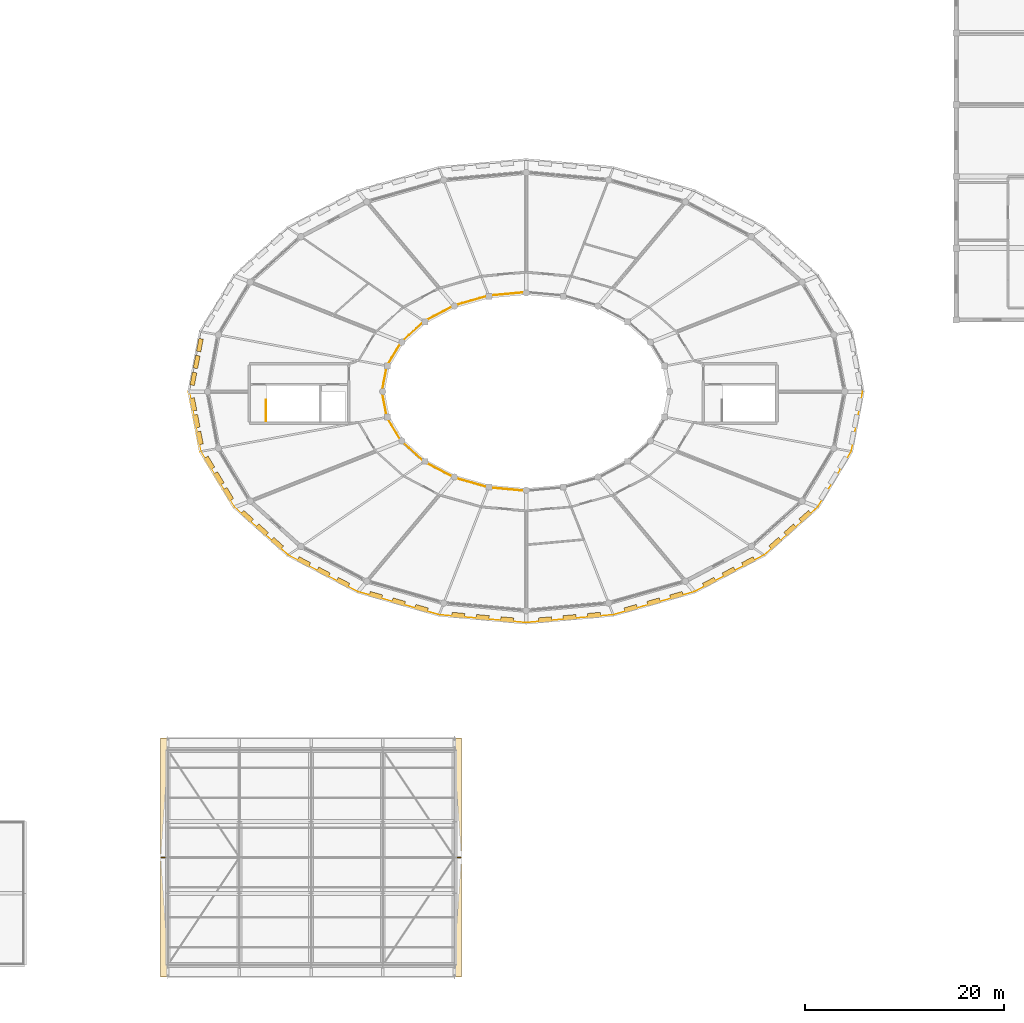
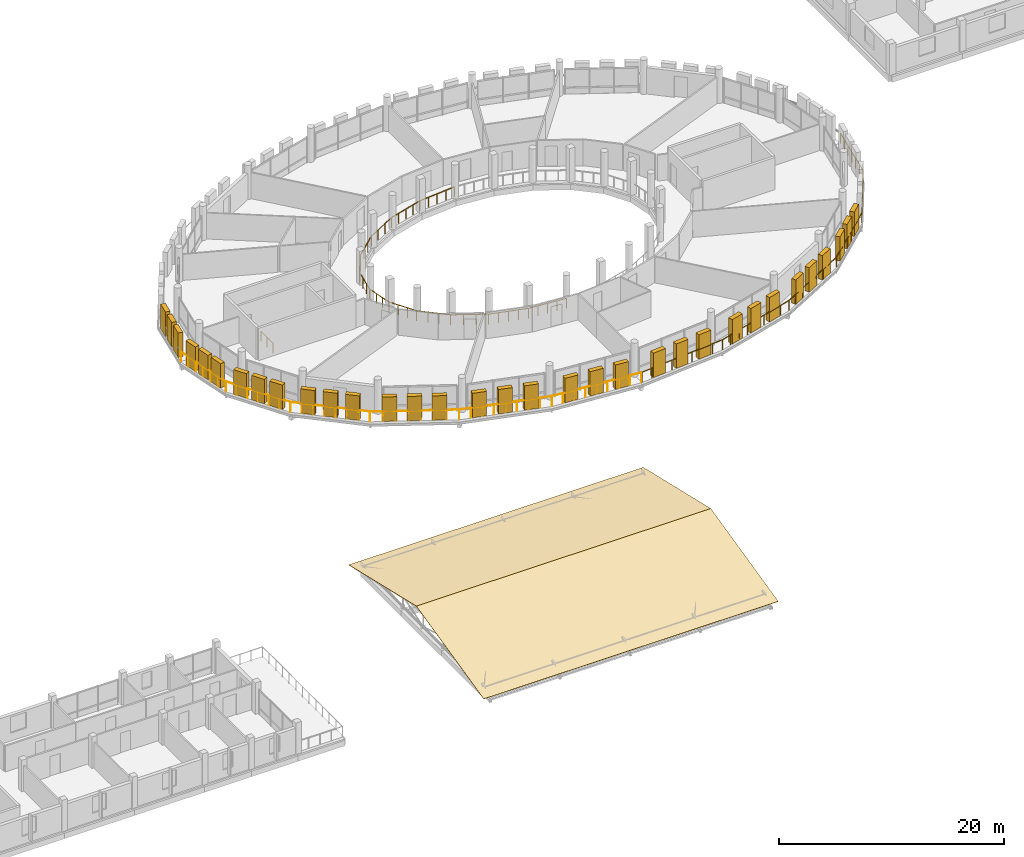
# One storey, part 80 of 84: 33 shading devices, 5 railings, 2 coverings.
"""IFC4 building model written with IfcOpenShell, lengths in metres."""

from ifc_helpers import new_model, si_unit, direction, frame, origin, origin_2d, place, context, subcontext, project, spatial, polyline, rectangle, circle, outline, extrude, material, layer, layer_set, type_object, element, save


model = new_model("IFC4")

# Units and contexts
model_context = context("Model", 3, precision=1e-05, world=origin(), true_north=direction((0.0, 1.0)))
body_context = subcontext(model_context, "Body", "Model", "MODEL_VIEW")
ifc_project = project(units=[si_unit("LENGTHUNIT", "METRE"), si_unit("AREAUNIT", "SQUARE_METRE"), si_unit("VOLUMEUNIT", "CUBIC_METRE"), si_unit("PLANEANGLEUNIT", "RADIAN"), si_unit("MASSUNIT", "GRAM", prefix="KILO")], contexts=[model_context])

# Site, building, storey
site_placement = place(None, origin())
site = spatial("IfcSite", under=ifc_project, at=site_placement, CompositionType="ELEMENT")
building_placement = place(site_placement, origin())
building = spatial("IfcBuilding", under=site, at=building_placement, Name="Zornivar Specialist Clinic", CompositionType="ELEMENT")
storey_placement = place(building_placement, frame((0.0, 0.0, 12.300048828125)))
storey = spatial("IfcBuildingStorey", under=building, at=storey_placement, Name="L03", CompositionType="ELEMENT", Elevation=12.300048828125)

# Coverings
ifc_material_1 = material(Name="Standing-Seam Pre-Weathered Zinc Roofing")
ifc_layer = layer(ifc_material_1, 0.0400390625)
ifc_layer_set = layer_set([ifc_layer], Name="Standing-Seam Pre-Weathered Zinc Roofing")
covering_type = type_object("IfcCoveringType", Name="COV-ROOF-ZINC-40", PredefinedType="ROOFING", material=ifc_layer_set)
for number, where, z_axis, x_axis, name in (
    (1, (56.8798828125, -1.199951171875, 0.0400390625), (0.0, -0.227214583647, 0.973844717077), (1.0, 0.0, 0.0), "cov:V3:L03:S"),
    (2, (56.8798828125, 10.800048828125, 2.83984375), (0.0, 0.227214583647, 0.973844717077), (1.0, 0.0, 0.0), "cov:V3:L03:N"),
):
    element("IfcCovering", number, at=place(storey_placement, frame(where, z_axis=z_axis, x_axis=x_axis)), inside=storey, type_object=covering_type, Name=name, PredefinedType="ROOFING", context=body_context, shape_type="SweptSolid", body=[
        extrude(outline(polyline([(0.0, 0.0), (30.240234375, 0.0), (30.240234375, 12.322293061283155), (0.0, 12.322293061283155), (0.0, 0.0)])), origin(), (0.0, 0.0, -1.0), 0.0400390625),
    ])

# Railings
ifc_material_2 = material(Name="Painted Steel and Oiled Timber Balustrade", Category="steel")
railing_type_1 = type_object("IfcRailingType", Name="GRD-EXT-BALUST-1100", PredefinedType="BALUSTRADE", material=ifc_material_2)
railing_1_placement = place(storey_placement, frame((59.74609375, 57.571044921875, 0.0)))
element("IfcRailing", 3, at=railing_1_placement, inside=storey, type_object=railing_type_1, Name="rail:V1:L03:balc:q2", PredefinedType="BALUSTRADE", context=body_context, shape_type="SweptSolid", body=[
    extrude(circle(Radius=0.02392578125, at=origin_2d()), frame((0.0, 0.0, 1.076171875), z_axis=(0.188188814184, -0.982132867903, 0.0), x_axis=(0.982132867903, 0.188188814184, 0.0)), (0.0, 0.0, 1.0), 6.105224609375),
    extrude(circle(Radius=0.02392578125, at=origin_2d()), frame((1.14892578125, -5.99609375, 1.076171875), z_axis=(0.516422508188, -0.856333926127, 0.0), x_axis=(0.856333926127, 0.516422508188, 0.0)), (0.0, 0.0, 1.0), 6.5546875),
    extrude(circle(Radius=0.02392578125, at=origin_2d()), frame((4.533935546875, -11.609130859375, 1.076171875), z_axis=(0.745201542332, -0.666839306959, 0.0), x_axis=(0.666839306959, 0.745201542332, 0.0)), (0.0, 0.0, 1.0), 7.224853515625),
    extrude(circle(Radius=0.02392578125, at=origin_2d()), frame((9.91796875, -16.427001953125, 1.076171875), z_axis=(0.884811989173, -0.465948220101, 0.0), x_axis=(0.465948220101, 0.884811989173, 0.0)), (0.0, 0.0, 1.0), 7.92822265625),
    extrude(circle(Radius=0.02392578125, at=origin_2d()), frame((16.932861328125, -20.12109375, 1.076171875), z_axis=(0.961950479971, -0.273223853432, 0.0), x_axis=(0.273223853432, 0.961950479971, 0.0)), (0.0, 0.0, 1.0), 8.487060546875),
    extrude(circle(Radius=0.02392578125, at=origin_2d()), frame((25.096923828125, -22.43994140625, 1.076171875), z_axis=(0.995947380316, -0.089937843218, 0.0), x_axis=(0.089937843218, 0.995947380316, 0.0)), (0.0, 0.0, 1.0), 8.762451171875),
    extrude(circle(Radius=0.02099609375, at=origin_2d()), origin(), (0.0, 0.0, 1.0), 1.052001953125),
    extrude(circle(Radius=0.02099609375, at=origin_2d()), frame((0.19140625, -0.999267578125, 0.0)), (0.0, 0.0, 1.0), 1.052001953125),
    extrude(circle(Radius=0.02099609375, at=origin_2d()), frame((0.383056640625, -1.998779296875, 0.0)), (0.0, 0.0, 1.0), 1.052001953125),
    extrude(circle(Radius=0.02099609375, at=origin_2d()), frame((0.574462890625, -2.998046875, 0.0)), (0.0, 0.0, 1.0), 1.052001953125),
    extrude(circle(Radius=0.02099609375, at=origin_2d()), frame((0.765869140625, -3.997314453125, 0.0)), (0.0, 0.0, 1.0), 1.052001953125),
    extrude(circle(Radius=0.02099609375, at=origin_2d()), frame((0.95751953125, -4.996826171875, 0.0)), (0.0, 0.0, 1.0), 1.052001953125),
    extrude(circle(Radius=0.02099609375, at=origin_2d()), frame((1.14892578125, -5.99609375, 0.0)), (0.0, 0.0, 1.0), 1.052001953125),
    extrude(circle(Radius=0.02099609375, at=origin_2d()), frame((1.713134765625, -6.931640625, 0.0)), (0.0, 0.0, 1.0), 1.052001953125),
    extrude(circle(Radius=0.02099609375, at=origin_2d()), frame((2.27734375, -7.8671875, 0.0)), (0.0, 0.0, 1.0), 1.052001953125),
    extrude(circle(Radius=0.02099609375, at=origin_2d()), frame((2.84130859375, -8.802734375, 0.0)), (0.0, 0.0, 1.0), 1.052001953125),
    extrude(circle(Radius=0.02099609375, at=origin_2d()), frame((3.405517578125, -9.738037109375, 0.0)), (0.0, 0.0, 1.0), 1.052001953125),
    extrude(circle(Radius=0.02099609375, at=origin_2d()), frame((3.9697265625, -10.673583984375, 0.0)), (0.0, 0.0, 1.0), 1.052001953125),
    extrude(circle(Radius=0.02099609375, at=origin_2d()), frame((4.533935546875, -11.609130859375, 0.0)), (0.0, 0.0, 1.0), 1.052001953125),
    extrude(circle(Radius=0.02099609375, at=origin_2d()), frame((5.302978515625, -12.29736328125, 0.0)), (0.0, 0.0, 1.0), 1.052001953125),
    extrude(circle(Radius=0.02099609375, at=origin_2d()), frame((6.072265625, -12.985595703125, 0.0)), (0.0, 0.0, 1.0), 1.052001953125),
    extrude(circle(Radius=0.02099609375, at=origin_2d()), frame((6.84130859375, -13.673828125, 0.0)), (0.0, 0.0, 1.0), 1.052001953125),
    extrude(circle(Radius=0.02099609375, at=origin_2d()), frame((7.610595703125, -14.3623046875, 0.0)), (0.0, 0.0, 1.0), 1.052001953125),
    extrude(circle(Radius=0.02099609375, at=origin_2d()), frame((8.379638671875, -15.050537109375, 0.0)), (0.0, 0.0, 1.0), 1.052001953125),
    extrude(circle(Radius=0.02099609375, at=origin_2d()), frame((9.14892578125, -15.73876953125, 0.0)), (0.0, 0.0, 1.0), 1.052001953125),
    extrude(circle(Radius=0.02099609375, at=origin_2d()), frame((9.91796875, -16.427001953125, 0.0)), (0.0, 0.0, 1.0), 1.052001953125),
    extrude(circle(Radius=0.02099609375, at=origin_2d()), frame((10.920166015625, -16.954833984375, 0.0)), (0.0, 0.0, 1.0), 1.052001953125),
    extrude(circle(Radius=0.02099609375, at=origin_2d()), frame((11.922119140625, -17.482421875, 0.0)), (0.0, 0.0, 1.0), 1.052001953125),
    extrude(circle(Radius=0.02099609375, at=origin_2d()), frame((12.92431640625, -18.01025390625, 0.0)), (0.0, 0.0, 1.0), 1.052001953125),
    extrude(circle(Radius=0.02099609375, at=origin_2d()), frame((13.926513671875, -18.537841796875, 0.0)), (0.0, 0.0, 1.0), 1.052001953125),
    extrude(circle(Radius=0.02099609375, at=origin_2d()), frame((14.9287109375, -19.065673828125, 0.0)), (0.0, 0.0, 1.0), 1.052001953125),
    extrude(circle(Radius=0.02099609375, at=origin_2d()), frame((15.9306640625, -19.59326171875, 0.0)), (0.0, 0.0, 1.0), 1.052001953125),
    extrude(circle(Radius=0.02099609375, at=origin_2d()), frame((16.932861328125, -20.12109375, 0.0)), (0.0, 0.0, 1.0), 1.052001953125),
    extrude(circle(Radius=0.02099609375, at=origin_2d()), frame((17.953369140625, -20.410888671875, 0.0)), (0.0, 0.0, 1.0), 1.052001953125),
    extrude(circle(Radius=0.02099609375, at=origin_2d()), frame((18.973876953125, -20.70068359375, 0.0)), (0.0, 0.0, 1.0), 1.052001953125),
    extrude(circle(Radius=0.02099609375, at=origin_2d()), frame((19.994384765625, -20.99072265625, 0.0)), (0.0, 0.0, 1.0), 1.052001953125),
    extrude(circle(Radius=0.02099609375, at=origin_2d()), frame((21.014892578125, -21.280517578125, 0.0)), (0.0, 0.0, 1.0), 1.052001953125),
    extrude(circle(Radius=0.02099609375, at=origin_2d()), frame((22.035400390625, -21.5703125, 0.0)), (0.0, 0.0, 1.0), 1.052001953125),
    extrude(circle(Radius=0.02099609375, at=origin_2d()), frame((23.055908203125, -21.8603515625, 0.0)), (0.0, 0.0, 1.0), 1.052001953125),
    extrude(circle(Radius=0.02099609375, at=origin_2d()), frame((24.076416015625, -22.150146484375, 0.0)), (0.0, 0.0, 1.0), 1.052001953125),
    extrude(circle(Radius=0.02099609375, at=origin_2d()), frame((25.096923828125, -22.43994140625, 0.0)), (0.0, 0.0, 1.0), 1.052001953125),
    extrude(circle(Radius=0.02099609375, at=origin_2d()), frame((26.187744140625, -22.53857421875, 0.0)), (0.0, 0.0, 1.0), 1.052001953125),
    extrude(circle(Radius=0.02099609375, at=origin_2d()), frame((27.27880859375, -22.636962890625, 0.0)), (0.0, 0.0, 1.0), 1.052001953125),
    extrude(circle(Radius=0.02099609375, at=origin_2d()), frame((28.36962890625, -22.7353515625, 0.0)), (0.0, 0.0, 1.0), 1.052001953125),
    extrude(circle(Radius=0.02099609375, at=origin_2d()), frame((29.46044921875, -22.833984375, 0.0)), (0.0, 0.0, 1.0), 1.052001953125),
    extrude(circle(Radius=0.02099609375, at=origin_2d()), frame((30.55126953125, -22.9326171875, 0.0)), (0.0, 0.0, 1.0), 1.052001953125),
    extrude(circle(Radius=0.02099609375, at=origin_2d()), frame((31.64208984375, -23.031005859375, 0.0)), (0.0, 0.0, 1.0), 1.052001953125),
    extrude(circle(Radius=0.02099609375, at=origin_2d()), frame((32.733154296875, -23.12939453125, 0.0)), (0.0, 0.0, 1.0), 1.052001953125),
    extrude(circle(Radius=0.02099609375, at=origin_2d()), frame((33.823974609375, -23.22802734375, 0.0)), (0.0, 0.0, 1.0), 1.052001953125),
])
railing_2_placement = place(storey_placement, frame((93.6298828125, 34.343017578125, 0.0)))
element("IfcRailing", 4, at=railing_2_placement, inside=storey, type_object=railing_type_1, Name="rail:V1:L03:balc:q3", PredefinedType="BALUSTRADE", context=body_context, shape_type="SweptSolid", body=[
    extrude(circle(Radius=0.02392578125, at=origin_2d()), frame((0.0, 0.0, 1.076171875), z_axis=(0.995947380316, 0.089937843218, 0.0), x_axis=(-0.089937843218, 0.995947380316, 0.0)), (0.0, 0.0, 1.0), 8.762451171875),
    extrude(circle(Radius=0.02392578125, at=origin_2d()), frame((8.72705078125, 0.7880859375, 1.076171875), z_axis=(0.961950479971, 0.273223853432, 0.0), x_axis=(-0.273223853432, 0.961950479971, 0.0)), (0.0, 0.0, 1.0), 8.487060546875),
    extrude(circle(Radius=0.02392578125, at=origin_2d()), frame((16.89111328125, 3.10693359375, 1.076171875), z_axis=(0.884811989173, 0.465948220101, 0.0), x_axis=(-0.465948220101, 0.884811989173, 0.0)), (0.0, 0.0, 1.0), 7.92822265625),
    extrude(circle(Radius=0.02392578125, at=origin_2d()), frame((23.906005859375, 6.801025390625, 1.076171875), z_axis=(0.745201542332, 0.666839306959, 0.0), x_axis=(-0.666839306959, 0.745201542332, 0.0)), (0.0, 0.0, 1.0), 7.224853515625),
    extrude(circle(Radius=0.02392578125, at=origin_2d()), frame((29.2900390625, 11.618896484375, 1.076171875), z_axis=(0.516422508188, 0.856333926127, 0.0), x_axis=(-0.856333926127, 0.516422508188, 0.0)), (0.0, 0.0, 1.0), 6.5546875),
    extrude(circle(Radius=0.02392578125, at=origin_2d()), frame((32.675048828125, 17.23193359375, 1.076171875), z_axis=(0.188227386656, 0.982125476155, 0.0), x_axis=(-0.982125476155, 0.188227386656, 0.0)), (0.0, 0.0, 1.0), 6.105224609375),
    extrude(circle(Radius=0.02099609375, at=origin_2d()), origin(), (0.0, 0.0, 1.0), 1.052001953125),
    extrude(circle(Radius=0.02099609375, at=origin_2d()), frame((1.0908203125, 0.0986328125, 0.0)), (0.0, 0.0, 1.0), 1.052001953125),
    extrude(circle(Radius=0.02099609375, at=origin_2d()), frame((2.181640625, 0.197021484375, 0.0)), (0.0, 0.0, 1.0), 1.052001953125),
    extrude(circle(Radius=0.02099609375, at=origin_2d()), frame((3.272705078125, 0.29541015625, 0.0)), (0.0, 0.0, 1.0), 1.052001953125),
    extrude(circle(Radius=0.02099609375, at=origin_2d()), frame((4.363525390625, 0.39404296875, 0.0)), (0.0, 0.0, 1.0), 1.052001953125),
    extrude(circle(Radius=0.02099609375, at=origin_2d()), frame((5.454345703125, 0.49267578125, 0.0)), (0.0, 0.0, 1.0), 1.052001953125),
    extrude(circle(Radius=0.02099609375, at=origin_2d()), frame((6.54541015625, 0.591064453125, 0.0)), (0.0, 0.0, 1.0), 1.052001953125),
    extrude(circle(Radius=0.02099609375, at=origin_2d()), frame((7.63623046875, 0.689453125, 0.0)), (0.0, 0.0, 1.0), 1.052001953125),
    extrude(circle(Radius=0.02099609375, at=origin_2d()), frame((8.72705078125, 0.7880859375, 0.0)), (0.0, 0.0, 1.0), 1.052001953125),
    extrude(circle(Radius=0.02099609375, at=origin_2d()), frame((9.74755859375, 1.077880859375, 0.0)), (0.0, 0.0, 1.0), 1.052001953125),
    extrude(circle(Radius=0.02099609375, at=origin_2d()), frame((10.76806640625, 1.36767578125, 0.0)), (0.0, 0.0, 1.0), 1.052001953125),
    extrude(circle(Radius=0.02099609375, at=origin_2d()), frame((11.78857421875, 1.65771484375, 0.0)), (0.0, 0.0, 1.0), 1.052001953125),
    extrude(circle(Radius=0.02099609375, at=origin_2d()), frame((12.80908203125, 1.947509765625, 0.0)), (0.0, 0.0, 1.0), 1.052001953125),
    extrude(circle(Radius=0.02099609375, at=origin_2d()), frame((13.82958984375, 2.2373046875, 0.0)), (0.0, 0.0, 1.0), 1.052001953125),
    extrude(circle(Radius=0.02099609375, at=origin_2d()), frame((14.85009765625, 2.52734375, 0.0)), (0.0, 0.0, 1.0), 1.052001953125),
    extrude(circle(Radius=0.02099609375, at=origin_2d()), frame((15.87060546875, 2.817138671875, 0.0)), (0.0, 0.0, 1.0), 1.052001953125),
    extrude(circle(Radius=0.02099609375, at=origin_2d()), frame((16.89111328125, 3.10693359375, 0.0)), (0.0, 0.0, 1.0), 1.052001953125),
    extrude(circle(Radius=0.02099609375, at=origin_2d()), frame((17.893310546875, 3.634765625, 0.0)), (0.0, 0.0, 1.0), 1.052001953125),
    extrude(circle(Radius=0.02099609375, at=origin_2d()), frame((18.895263671875, 4.162353515625, 0.0)), (0.0, 0.0, 1.0), 1.052001953125),
    extrude(circle(Radius=0.02099609375, at=origin_2d()), frame((19.8974609375, 4.690185546875, 0.0)), (0.0, 0.0, 1.0), 1.052001953125),
    extrude(circle(Radius=0.02099609375, at=origin_2d()), frame((20.899658203125, 5.2177734375, 0.0)), (0.0, 0.0, 1.0), 1.052001953125),
    extrude(circle(Radius=0.02099609375, at=origin_2d()), frame((21.90185546875, 5.74560546875, 0.0)), (0.0, 0.0, 1.0), 1.052001953125),
    extrude(circle(Radius=0.02099609375, at=origin_2d()), frame((22.90380859375, 6.273193359375, 0.0)), (0.0, 0.0, 1.0), 1.052001953125),
    extrude(circle(Radius=0.02099609375, at=origin_2d()), frame((23.906005859375, 6.801025390625, 0.0)), (0.0, 0.0, 1.0), 1.052001953125),
    extrude(circle(Radius=0.02099609375, at=origin_2d()), frame((24.675048828125, 7.4892578125, 0.0)), (0.0, 0.0, 1.0), 1.052001953125),
    extrude(circle(Radius=0.02099609375, at=origin_2d()), frame((25.4443359375, 8.177490234375, 0.0)), (0.0, 0.0, 1.0), 1.052001953125),
    extrude(circle(Radius=0.02099609375, at=origin_2d()), frame((26.21337890625, 8.86572265625, 0.0)), (0.0, 0.0, 1.0), 1.052001953125),
    extrude(circle(Radius=0.02099609375, at=origin_2d()), frame((26.982666015625, 9.55419921875, 0.0)), (0.0, 0.0, 1.0), 1.052001953125),
    extrude(circle(Radius=0.02099609375, at=origin_2d()), frame((27.751708984375, 10.242431640625, 0.0)), (0.0, 0.0, 1.0), 1.052001953125),
    extrude(circle(Radius=0.02099609375, at=origin_2d()), frame((28.52099609375, 10.9306640625, 0.0)), (0.0, 0.0, 1.0), 1.052001953125),
    extrude(circle(Radius=0.02099609375, at=origin_2d()), frame((29.2900390625, 11.618896484375, 0.0)), (0.0, 0.0, 1.0), 1.052001953125),
    extrude(circle(Radius=0.02099609375, at=origin_2d()), frame((29.854248046875, 12.554443359375, 0.0)), (0.0, 0.0, 1.0), 1.052001953125),
    extrude(circle(Radius=0.02099609375, at=origin_2d()), frame((30.41845703125, 13.489990234375, 0.0)), (0.0, 0.0, 1.0), 1.052001953125),
    extrude(circle(Radius=0.02099609375, at=origin_2d()), frame((30.982421875, 14.42529296875, 0.0)), (0.0, 0.0, 1.0), 1.052001953125),
    extrude(circle(Radius=0.02099609375, at=origin_2d()), frame((31.546630859375, 15.36083984375, 0.0)), (0.0, 0.0, 1.0), 1.052001953125),
    extrude(circle(Radius=0.02099609375, at=origin_2d()), frame((32.11083984375, 16.29638671875, 0.0)), (0.0, 0.0, 1.0), 1.052001953125),
    extrude(circle(Radius=0.02099609375, at=origin_2d()), frame((32.675048828125, 17.23193359375, 0.0)), (0.0, 0.0, 1.0), 1.052001953125),
    extrude(circle(Radius=0.02099609375, at=origin_2d()), frame((32.86669921875, 18.231201171875, 0.0)), (0.0, 0.0, 1.0), 1.052001953125),
    extrude(circle(Radius=0.02099609375, at=origin_2d()), frame((33.05810546875, 19.230712890625, 0.0)), (0.0, 0.0, 1.0), 1.052001953125),
    extrude(circle(Radius=0.02099609375, at=origin_2d()), frame((33.24951171875, 20.22998046875, 0.0)), (0.0, 0.0, 1.0), 1.052001953125),
    extrude(circle(Radius=0.02099609375, at=origin_2d()), frame((33.441162109375, 21.229248046875, 0.0)), (0.0, 0.0, 1.0), 1.052001953125),
    extrude(circle(Radius=0.02099609375, at=origin_2d()), frame((33.6328125, 22.228759765625, 0.0)), (0.0, 0.0, 1.0), 1.052001953125),
    extrude(circle(Radius=0.02099609375, at=origin_2d()), frame((33.82421875, 23.22802734375, 0.0)), (0.0, 0.0, 1.0), 1.052001953125),
])
ifc_material_3 = material(Name="Brushed Stainless Steel Stair Guardrail", Category="steel")
railing_type_2 = type_object("IfcRailingType", Name="GRD-INT-STAIR-1100", PredefinedType="GUARDRAIL", material=ifc_material_3)
railing_3_placement = place(storey_placement, frame((67.469970703125, 54.659912109375, 0.0)))
element("IfcRailing", 5, at=railing_3_placement, inside=storey, type_object=railing_type_2, Name="sg:C3:L03:topwell", PredefinedType="GUARDRAIL", context=body_context, shape_type="SweptSolid", body=[
    extrude(circle(Radius=0.02392578125, at=origin_2d()), frame((0.0, 0.0, 1.076171875), z_axis=(0.0, 1.0, 0.0), x_axis=(-1.0, 0.0, 0.0)), (0.0, 0.0, 1.0), 2.1201171875),
    extrude(circle(Radius=0.02099609375, at=origin_2d()), origin(), (0.0, 0.0, 1.0), 1.052001953125),
    extrude(circle(Radius=0.02099609375, at=origin_2d()), frame((0.0, 1.06005859375, 0.0)), (0.0, 0.0, 1.0), 1.052001953125),
    extrude(circle(Radius=0.02099609375, at=origin_2d()), frame((0.0, 2.1201171875, 0.0)), (0.0, 0.0, 1.0), 1.052001953125),
])
railing_4_placement = place(storey_placement, frame((93.570068359375, 67.576904296875, 0.0)))
element("IfcRailing", 6, at=railing_4_placement, inside=storey, type_object=railing_type_2, Name="sg:V1:L03:atrium:q1", PredefinedType="GUARDRAIL", context=body_context, shape_type="SweptSolid", body=[
    extrude(circle(Radius=0.02392578125, at=origin_2d()), frame((0.0, 0.0, 1.076171875), z_axis=(-0.995889996682, -0.090571046743, 0.0), x_axis=(0.090571046743, -0.995889996682, 0.0)), (0.0, 0.0, 1.0), 3.741455078125),
    extrude(circle(Radius=0.02392578125, at=origin_2d()), frame((-3.72607421875, -0.3388671875, 1.076171875), z_axis=(-0.961204035112, -0.275838363691, 0.0), x_axis=(0.275838363691, -0.961204035112, 0.0)), (0.0, 0.0, 1.0), 3.635986328125),
    extrude(circle(Radius=0.02392578125, at=origin_2d()), frame((-7.220947265625, -1.341796875, 1.076171875), z_axis=(-0.883372733169, -0.468671115276, 0.0), x_axis=(0.468671115276, -0.883372733169, 0.0)), (0.0, 0.0, 1.0), 3.392822265625),
    extrude(circle(Radius=0.02392578125, at=origin_2d()), frame((-10.218017578125, -2.931884765625, 1.076171875), z_axis=(-0.743690964055, -0.668523559781, 0.0), x_axis=(0.668523559781, -0.743690964055, 0.0)), (0.0, 0.0, 1.0), 3.0888671875),
    extrude(circle(Radius=0.02392578125, at=origin_2d()), frame((-12.51513671875, -4.996826171875, 1.076171875), z_axis=(-0.5146109966, -0.857423770477, 0.0), x_axis=(0.857423770477, -0.5146109966, 0.0)), (0.0, 0.0, 1.0), 2.8037109375),
    extrude(circle(Radius=0.02392578125, at=origin_2d()), frame((-13.9580078125, -7.40087890625, 1.076171875), z_axis=(-0.187453881852, -0.982273405004, 0.0), x_axis=(0.982273405004, -0.187453881852, 0.0)), (0.0, 0.0, 1.0), 2.593017578125),
    extrude(circle(Radius=0.02099609375, at=origin_2d()), origin(), (0.0, 0.0, 1.0), 1.052001953125),
    extrude(circle(Radius=0.02099609375, at=origin_2d()), frame((-0.931640625, -0.084716796875, 0.0)), (0.0, 0.0, 1.0), 1.052001953125),
    extrude(circle(Radius=0.02099609375, at=origin_2d()), frame((-1.863037109375, -0.16943359375, 0.0)), (0.0, 0.0, 1.0), 1.052001953125),
    extrude(circle(Radius=0.02099609375, at=origin_2d()), frame((-2.79443359375, -0.254150390625, 0.0)), (0.0, 0.0, 1.0), 1.052001953125),
    extrude(circle(Radius=0.02099609375, at=origin_2d()), frame((-3.72607421875, -0.3388671875, 0.0)), (0.0, 0.0, 1.0), 1.052001953125),
    extrude(circle(Radius=0.02099609375, at=origin_2d()), frame((-4.599853515625, -0.589599609375, 0.0)), (0.0, 0.0, 1.0), 1.052001953125),
    extrude(circle(Radius=0.02099609375, at=origin_2d()), frame((-5.4736328125, -0.84033203125, 0.0)), (0.0, 0.0, 1.0), 1.052001953125),
    extrude(circle(Radius=0.02099609375, at=origin_2d()), frame((-6.34716796875, -1.091064453125, 0.0)), (0.0, 0.0, 1.0), 1.052001953125),
    extrude(circle(Radius=0.02099609375, at=origin_2d()), frame((-7.220947265625, -1.341796875, 0.0)), (0.0, 0.0, 1.0), 1.052001953125),
    extrude(circle(Radius=0.02099609375, at=origin_2d()), frame((-8.219970703125, -1.871826171875, 0.0)), (0.0, 0.0, 1.0), 1.052001953125),
    extrude(circle(Radius=0.02099609375, at=origin_2d()), frame((-9.218994140625, -2.40185546875, 0.0)), (0.0, 0.0, 1.0), 1.052001953125),
    extrude(circle(Radius=0.02099609375, at=origin_2d()), frame((-10.218017578125, -2.931884765625, 0.0)), (0.0, 0.0, 1.0), 1.052001953125),
    extrude(circle(Radius=0.02099609375, at=origin_2d()), frame((-10.983642578125, -3.6201171875, 0.0)), (0.0, 0.0, 1.0), 1.052001953125),
    extrude(circle(Radius=0.02099609375, at=origin_2d()), frame((-11.74951171875, -4.30859375, 0.0)), (0.0, 0.0, 1.0), 1.052001953125),
    extrude(circle(Radius=0.02099609375, at=origin_2d()), frame((-12.51513671875, -4.996826171875, 0.0)), (0.0, 0.0, 1.0), 1.052001953125),
    extrude(circle(Radius=0.02099609375, at=origin_2d()), frame((-12.99609375, -5.798095703125, 0.0)), (0.0, 0.0, 1.0), 1.052001953125),
    extrude(circle(Radius=0.02099609375, at=origin_2d()), frame((-13.47705078125, -6.599609375, 0.0)), (0.0, 0.0, 1.0), 1.052001953125),
    extrude(circle(Radius=0.02099609375, at=origin_2d()), frame((-13.9580078125, -7.40087890625, 0.0)), (0.0, 0.0, 1.0), 1.052001953125),
    extrude(circle(Radius=0.02099609375, at=origin_2d()), frame((-14.1201171875, -8.25, 0.0)), (0.0, 0.0, 1.0), 1.052001953125),
    extrude(circle(Radius=0.02099609375, at=origin_2d()), frame((-14.281982421875, -9.098876953125, 0.0)), (0.0, 0.0, 1.0), 1.052001953125),
    extrude(circle(Radius=0.02099609375, at=origin_2d()), frame((-14.444091796875, -9.947998046875, 0.0)), (0.0, 0.0, 1.0), 1.052001953125),
])
railing_5_placement = place(storey_placement, frame((79.1259765625, 57.571044921875, 0.0)))
element("IfcRailing", 7, at=railing_5_placement, inside=storey, type_object=railing_type_2, Name="sg:V1:L03:atrium:q2", PredefinedType="GUARDRAIL", context=body_context, shape_type="SweptSolid", body=[
    extrude(circle(Radius=0.02392578125, at=origin_2d()), frame((0.0, 0.0, 1.076171875), z_axis=(0.187453881852, -0.982273405004, 0.0), x_axis=(0.982273405004, 0.187453881852, 0.0)), (0.0, 0.0, 1.0), 2.593017578125),
    extrude(circle(Radius=0.02392578125, at=origin_2d()), frame((0.486083984375, -2.547119140625, 1.076171875), z_axis=(0.51464941973, -0.857400708404, 0.0), x_axis=(0.857400708404, 0.51464941973, 0.0)), (0.0, 0.0, 1.0), 2.8037109375),
    extrude(circle(Radius=0.02392578125, at=origin_2d()), frame((1.928955078125, -4.950927734375, 1.076171875), z_axis=(0.74365166795, -0.668567271675, 0.0), x_axis=(0.668567271675, 0.74365166795, 0.0)), (0.0, 0.0, 1.0), 3.0888671875),
    extrude(circle(Radius=0.02392578125, at=origin_2d()), frame((4.22607421875, -7.01611328125, 1.076171875), z_axis=(0.883402524363, -0.46861495916, 0.0), x_axis=(0.46861495916, 0.883402524363, 0.0)), (0.0, 0.0, 1.0), 3.392578125),
    extrude(circle(Radius=0.02392578125, at=origin_2d()), frame((7.22314453125, -8.60595703125, 1.076171875), z_axis=(0.961186230387, -0.275900399627, 0.0), x_axis=(0.275900399627, 0.961186230387, 0.0)), (0.0, 0.0, 1.0), 3.635986328125),
    extrude(circle(Radius=0.02392578125, at=origin_2d()), frame((10.718017578125, -9.609130859375, 1.076171875), z_axis=(0.995889996682, -0.090571046743, 0.0), x_axis=(0.090571046743, 0.995889996682, 0.0)), (0.0, 0.0, 1.0), 3.741455078125),
    extrude(circle(Radius=0.02099609375, at=origin_2d()), origin(), (0.0, 0.0, 1.0), 1.052001953125),
    extrude(circle(Radius=0.02099609375, at=origin_2d()), frame((0.162109375, -0.84912109375, 0.0)), (0.0, 0.0, 1.0), 1.052001953125),
    extrude(circle(Radius=0.02099609375, at=origin_2d()), frame((0.323974609375, -1.697998046875, 0.0)), (0.0, 0.0, 1.0), 1.052001953125),
    extrude(circle(Radius=0.02099609375, at=origin_2d()), frame((0.486083984375, -2.547119140625, 0.0)), (0.0, 0.0, 1.0), 1.052001953125),
    extrude(circle(Radius=0.02099609375, at=origin_2d()), frame((0.967041015625, -3.348388671875, 0.0)), (0.0, 0.0, 1.0), 1.052001953125),
    extrude(circle(Radius=0.02099609375, at=origin_2d()), frame((1.447998046875, -4.149658203125, 0.0)), (0.0, 0.0, 1.0), 1.052001953125),
    extrude(circle(Radius=0.02099609375, at=origin_2d()), frame((1.928955078125, -4.950927734375, 0.0)), (0.0, 0.0, 1.0), 1.052001953125),
    extrude(circle(Radius=0.02099609375, at=origin_2d()), frame((2.694580078125, -5.639404296875, 0.0)), (0.0, 0.0, 1.0), 1.052001953125),
    extrude(circle(Radius=0.02099609375, at=origin_2d()), frame((3.46044921875, -6.32763671875, 0.0)), (0.0, 0.0, 1.0), 1.052001953125),
    extrude(circle(Radius=0.02099609375, at=origin_2d()), frame((4.22607421875, -7.01611328125, 0.0)), (0.0, 0.0, 1.0), 1.052001953125),
    extrude(circle(Radius=0.02099609375, at=origin_2d()), frame((5.22509765625, -7.546142578125, 0.0)), (0.0, 0.0, 1.0), 1.052001953125),
    extrude(circle(Radius=0.02099609375, at=origin_2d()), frame((6.22412109375, -8.075927734375, 0.0)), (0.0, 0.0, 1.0), 1.052001953125),
    extrude(circle(Radius=0.02099609375, at=origin_2d()), frame((7.22314453125, -8.60595703125, 0.0)), (0.0, 0.0, 1.0), 1.052001953125),
    extrude(circle(Radius=0.02099609375, at=origin_2d()), frame((8.096923828125, -8.856689453125, 0.0)), (0.0, 0.0, 1.0), 1.052001953125),
    extrude(circle(Radius=0.02099609375, at=origin_2d()), frame((8.970703125, -9.107421875, 0.0)), (0.0, 0.0, 1.0), 1.052001953125),
    extrude(circle(Radius=0.02099609375, at=origin_2d()), frame((9.84423828125, -9.3583984375, 0.0)), (0.0, 0.0, 1.0), 1.052001953125),
    extrude(circle(Radius=0.02099609375, at=origin_2d()), frame((10.718017578125, -9.609130859375, 0.0)), (0.0, 0.0, 1.0), 1.052001953125),
    extrude(circle(Radius=0.02099609375, at=origin_2d()), frame((11.6494140625, -9.69384765625, 0.0)), (0.0, 0.0, 1.0), 1.052001953125),
    extrude(circle(Radius=0.02099609375, at=origin_2d()), frame((12.5810546875, -9.778564453125, 0.0)), (0.0, 0.0, 1.0), 1.052001953125),
    extrude(circle(Radius=0.02099609375, at=origin_2d()), frame((13.5126953125, -9.86328125, 0.0)), (0.0, 0.0, 1.0), 1.052001953125),
    extrude(circle(Radius=0.02099609375, at=origin_2d()), frame((14.444091796875, -9.947998046875, 0.0)), (0.0, 0.0, 1.0), 1.052001953125),
])

# Shading devices
ifc_material_4 = material(Name="Oiled European Larch Timber Louvre Shutter", Category="wood")
shading_device_type = type_object("IfcShadingDeviceType", Name="SHD-DRUM-SHUTTER-450", PredefinedType="SHUTTER", material=ifc_material_4)
for number, where, z_axis, x_axis, name in (
    (8, (60.826904296875, 62.260986328125, 0.0), (0.0, 0.0, 1.0), (-0.188098987302, -0.982150075587, 0.0), "shutter:V1:L03:c11:0"),
    (9, (60.50390625, 60.571044921875, 0.0), (0.0, 0.0, 1.0), (-0.188098987302, -0.982150075587, 0.0), "shutter:V1:L03:c11:1"),
    (10, (60.179931640625, 58.881103515625, 0.0), (0.0, 0.0, 1.0), (-0.188098987302, -0.982150075587, 0.0), "shutter:V1:L03:c11:2"),
    (11, (60.179931640625, 56.319091796875, 0.0), (0.0, 0.0, 1.0), (0.188098987302, -0.982150075587, 0.0), "shutter:V1:L03:c12:0"),
    (12, (60.50390625, 54.62890625, 0.0), (0.0, 0.0, 1.0), (0.188098987302, -0.982150075587, 0.0), "shutter:V1:L03:c12:1"),
    (13, (60.826904296875, 52.93896484375, 0.0), (0.0, 0.0, 1.0), (0.188098987302, -0.982150075587, 0.0), "shutter:V1:L03:c12:2"),
    (14, (61.7958984375, 50.4560546875, 0.0), (0.0, 0.0, 1.0), (0.516018019467, -0.856577727696, 0.0), "shutter:V1:L03:c13:0"),
    (15, (62.743896484375, 48.881103515625, 0.0), (0.0, 0.0, 1.0), (0.516018019467, -0.856577727696, 0.0), "shutter:V1:L03:c13:1"),
    (16, (63.693115234375, 47.305908203125, 0.0), (0.0, 0.0, 1.0), (0.516018019467, -0.856577727696, 0.0), "shutter:V1:L03:c13:2"),
    (17, (65.576904296875, 45.06396484375, 0.0), (0.0, 0.0, 1.0), (0.744796712128, -0.667291433785, 0.0), "shutter:V1:L03:c14:0"),
    (18, (67.0859375, 43.7109375, 0.0), (0.0, 0.0, 1.0), (0.744796712128, -0.667291433785, 0.0), "shutter:V1:L03:c14:1"),
    (19, (68.595947265625, 42.35888671875, 0.0), (0.0, 0.0, 1.0), (0.744796712128, -0.667291433785, 0.0), "shutter:V1:L03:c14:2"),
    (20, (71.277099609375, 40.51611328125, 0.0), (0.0, 0.0, 1.0), (0.884469914632, -0.466597224713, 0.0), "shutter:V1:L03:c15:0"),
    (21, (73.243896484375, 39.47802734375, 0.0), (0.0, 0.0, 1.0), (0.884469914632, -0.466597224713, 0.0), "shutter:V1:L03:c15:1"),
    (22, (75.2109375, 38.43994140625, 0.0), (0.0, 0.0, 1.0), (0.884469914632, -0.466597224713, 0.0), "shutter:V1:L03:c15:2"),
    (23, (78.508056640625, 37.132080078125, 0.0), (0.0, 0.0, 1.0), (0.961785255901, -0.273804896838, 0.0), "shutter:V1:L03:c16:0"),
    (24, (80.799072265625, 36.47998046875, 0.0), (0.0, 0.0, 1.0), (0.961785255901, -0.273804896838, 0.0), "shutter:V1:L03:c16:1"),
    (25, (83.090087890625, 35.827880859375, 0.0), (0.0, 0.0, 1.0), (0.961785255901, -0.273804896838, 0.0), "shutter:V1:L03:c16:2"),
    (26, (86.77490234375, 35.14892578125, 0.0), (0.0, 0.0, 1.0), (0.995924761284, -0.090187969607, 0.0), "shutter:V1:L03:c17:0"),
    (27, (89.23291015625, 34.926025390625, 0.0), (0.0, 0.0, 1.0), (0.995924761284, -0.090187969607, 0.0), "shutter:V1:L03:c17:1"),
    (28, (91.69091796875, 34.7041015625, 0.0), (0.0, 0.0, 1.0), (0.995924761284, -0.090187969607, 0.0), "shutter:V1:L03:c17:2"),
    (29, (95.509033203125, 34.7041015625, 0.0), (0.0, 0.0, 1.0), (0.995924761284, 0.090187969607, 0.0), "shutter:V1:L03:c18:0"),
    (30, (97.967041015625, 34.926025390625, 0.0), (0.0, 0.0, 1.0), (0.995924761284, 0.090187969607, 0.0), "shutter:V1:L03:c18:1"),
    (31, (100.425048828125, 35.14892578125, 0.0), (0.0, 0.0, 1.0), (0.995924761284, 0.090187969607, 0.0), "shutter:V1:L03:c18:2"),
    (32, (104.110107421875, 35.827880859375, 0.0), (0.0, 0.0, 1.0), (0.961785255901, 0.273804896838, 0.0), "shutter:V1:L03:c19:0"),
    (33, (106.40087890625, 36.47998046875, 0.0), (0.0, 0.0, 1.0), (0.961785255901, 0.273804896838, 0.0), "shutter:V1:L03:c19:1"),
    (34, (108.69189453125, 37.132080078125, 0.0), (0.0, 0.0, 1.0), (0.961785255901, 0.273804896838, 0.0), "shutter:V1:L03:c19:2"),
    (35, (111.989013671875, 38.43994140625, 0.0), (0.0, 0.0, 1.0), (0.884469914632, 0.466597224713, 0.0), "shutter:V1:L03:c20:0"),
    (36, (113.9560546875, 39.47802734375, 0.0), (0.0, 0.0, 1.0), (0.884469914632, 0.466597224713, 0.0), "shutter:V1:L03:c20:1"),
    (37, (115.923095703125, 40.51611328125, 0.0), (0.0, 0.0, 1.0), (0.884469914632, 0.466597224713, 0.0), "shutter:V1:L03:c20:2"),
    (38, (118.60400390625, 42.35888671875, 0.0), (0.0, 0.0, 1.0), (0.744796712128, 0.667291433785, 0.0), "shutter:V1:L03:c21:0"),
    (39, (120.114013671875, 43.7109375, 0.0), (0.0, 0.0, 1.0), (0.744796712128, 0.667291433785, 0.0), "shutter:V1:L03:c21:1"),
    (40, (121.623046875, 45.06396484375, 0.0), (0.0, 0.0, 1.0), (0.744796712128, 0.667291433785, 0.0), "shutter:V1:L03:c21:2"),
):
    element("IfcShadingDevice", number, at=place(storey_placement, frame(where, z_axis=z_axis, x_axis=x_axis)), inside=storey, type_object=shading_device_type, Name=name, PredefinedType="SHUTTER", context=body_context, shape_type="SweptSolid", body=[
        extrude(rectangle(XDim=1.300048828125, YDim=0.449951171875, at=origin_2d()), origin(), (0.0, 0.0, 1.0), 2.64990234375),
    ])

save(model, "model.ifc")
